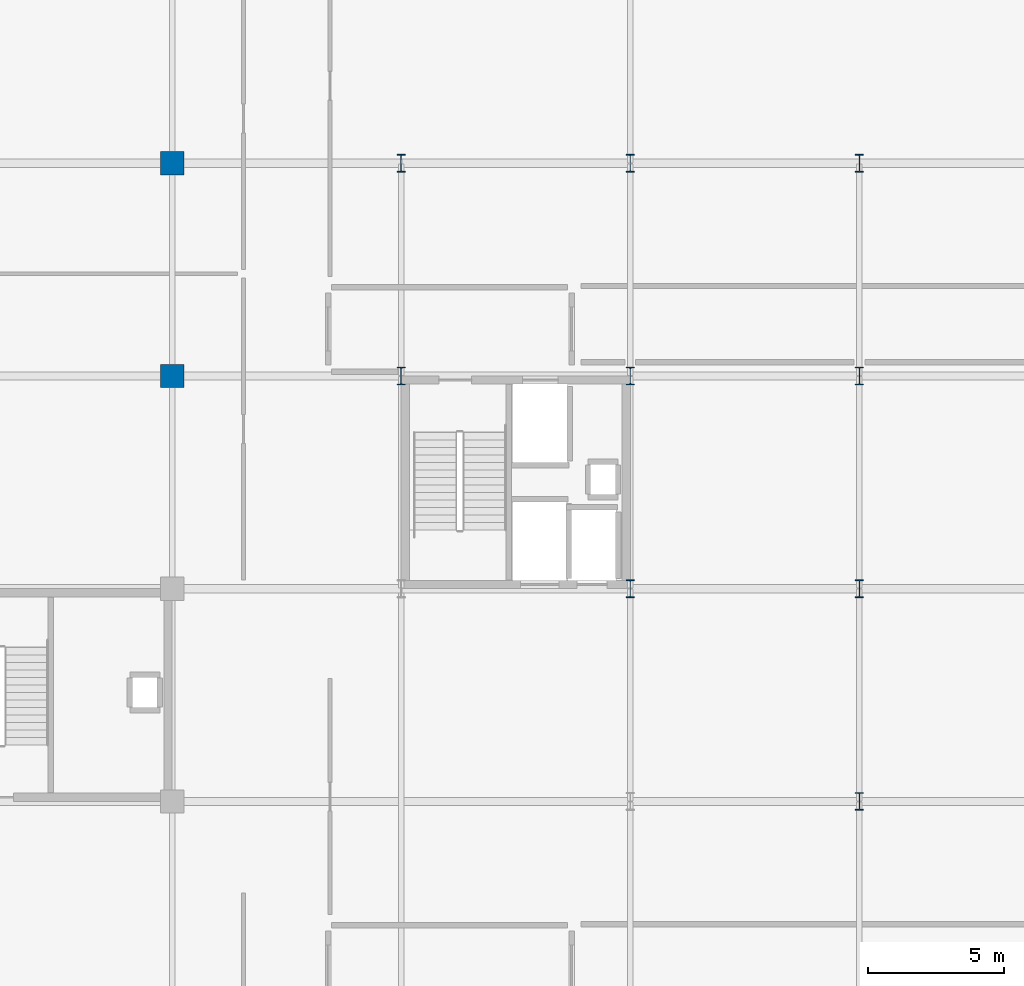
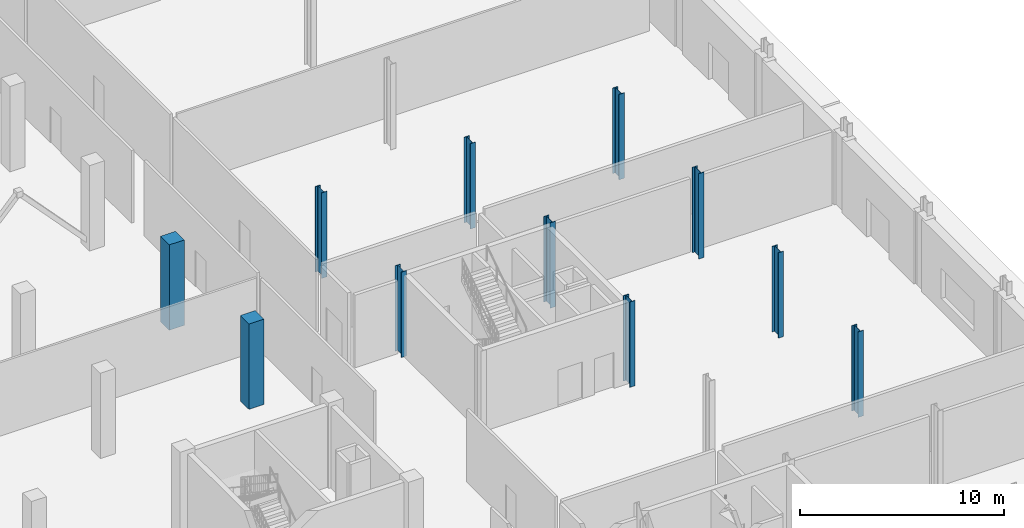
# One storey, part 16 of 80: 11 columns.
"""IFC4 building model written with IfcOpenShell, lengths in metres."""

from ifc_helpers import new_model, si_unit, direction, frame, origin, origin_2d, place, context, subcontext, project, spatial, rectangle, i_section, extrude, material, material_profile, profile_set, type_object, element, save


model = new_model("IFC4")

# Units and contexts
model_context = context("Model", 3, precision=1e-05, world=origin(), true_north=direction((0.0, 1.0)))
body_context = subcontext(model_context, "Body", "Model", "MODEL_VIEW")
ifc_project = project(units=[si_unit("LENGTHUNIT", "METRE"), si_unit("AREAUNIT", "SQUARE_METRE"), si_unit("VOLUMEUNIT", "CUBIC_METRE"), si_unit("PLANEANGLEUNIT", "RADIAN"), si_unit("MASSUNIT", "GRAM", prefix="KILO")], contexts=[model_context])

# Site, building, storey
site_placement = place(None, origin())
site = spatial("IfcSite", under=ifc_project, at=site_placement, CompositionType="ELEMENT")
building_placement = place(site_placement, origin())
building = spatial("IfcBuilding", under=site, at=building_placement, Name="Nabrawat Pavilion Hospital", CompositionType="ELEMENT")
storey_placement = place(building_placement, origin())
storey = spatial("IfcBuildingStorey", under=building, at=storey_placement, Name="L00", CompositionType="ELEMENT", Elevation=0.0)

# Columns
ifc_material_1 = material(Name="Steel S355", Category="steel")
ifc_material_profile_1 = material_profile(ifc_material_1, i_section(OverallWidth=0.300048828125, OverallDepth=0.64990234375, WebThickness=0.01611328125, FlangeThickness=0.031005859375, FilletRadius=0.027099609375, at=origin_2d()), Name="HEB 650")
ifc_profile_set_1 = profile_set([ifc_material_profile_1], Name="Steel S355")
column_type_1 = type_object("IfcColumnType", Name="Heavy Composite Steel Column HEB 650", PredefinedType="COLUMN", material=ifc_profile_set_1)
for number, where, z_axis, x_axis, name in (
    (1, (168.0, 78.0, 0.0), (0.0, 0.0, 1.0), (1.0, 0.0, 0.0), "L00 Structural Column G-21-L"),
    (2, (168.0, 85.800048828125, 0.0), (0.0, 0.0, 1.0), (1.0, 0.0, 0.0), "L00 Structural Column G-21-M1"),
    (3, (176.39990234375, 70.199951171875, 0.0), (0.0, 0.0, 1.0), (1.0, 0.0, 0.0), "L00 Structural Column G-22-K"),
    (4, (176.39990234375, 78.0, 0.0), (0.0, 0.0, 1.0), (1.0, 0.0, 0.0), "L00 Structural Column G-22-L"),
    (5, (176.39990234375, 85.800048828125, 0.0), (0.0, 0.0, 1.0), (1.0, 0.0, 0.0), "L00 Structural Column G-22-M1"),
    (6, (184.800048828125, 62.39990234375, 0.0), (0.0, 0.0, 1.0), (1.0, 0.0, 0.0), "L00 Structural Column G-23-J"),
    (7, (184.800048828125, 70.199951171875, 0.0), (0.0, 0.0, 1.0), (1.0, 0.0, 0.0), "L00 Structural Column G-23-K"),
    (8, (184.800048828125, 78.0, 0.0), (0.0, 0.0, 1.0), (1.0, 0.0, 0.0), "L00 Structural Column G-23-L"),
    (9, (184.800048828125, 85.800048828125, 0.0), (0.0, 0.0, 1.0), (1.0, 0.0, 0.0), "L00 Structural Column G-23-M1"),
):
    element("IfcColumn", number, at=place(storey_placement, frame(where, z_axis=z_axis, x_axis=x_axis)), inside=storey, type_object=column_type_1, Name=name, PredefinedType="COLUMN", context=body_context, shape_type="SweptSolid", body=[
        extrude(i_section(OverallWidth=0.300048828125, OverallDepth=0.64990234375, WebThickness=0.01611328125, FlangeThickness=0.031005859375, FilletRadius=0.027099609375, at=origin_2d()), origin(), (0.0, 0.0, 1.0), 5.10009765625),
    ])
ifc_material_2 = material(Name="Concrete C40/50", Category="concrete")
ifc_material_profile_2 = material_profile(ifc_material_2, rectangle(XDim=0.85009765625, YDim=0.85009765625, at=origin_2d()), Name="RC 850x850")
ifc_profile_set_2 = profile_set([ifc_material_profile_2], Name="Concrete C40/50")
column_type_2 = type_object("IfcColumnType", Name="Lower Ward RC Column 850x850", PredefinedType="COLUMN", material=ifc_profile_set_2)
for number, where, z_axis, x_axis, name in (
    (10, (159.60009765625, 78.0, 0.0), (0.0, 0.0, 1.0), (1.0, 0.0, 0.0), "L00 Structural Column G-20-L"),
    (11, (159.60009765625, 85.800048828125, 0.0), (0.0, 0.0, 1.0), (1.0, 0.0, 0.0), "L00 Structural Column G-20-M1"),
):
    element("IfcColumn", number, at=place(storey_placement, frame(where, z_axis=z_axis, x_axis=x_axis)), inside=storey, type_object=column_type_2, Name=name, PredefinedType="COLUMN", context=body_context, shape_type="SweptSolid", body=[
        extrude(rectangle(XDim=0.85009765625, YDim=0.85009765625, at=origin_2d()), origin(), (0.0, 0.0, 1.0), 5.10009765625),
    ])

save(model, "model.ifc")
